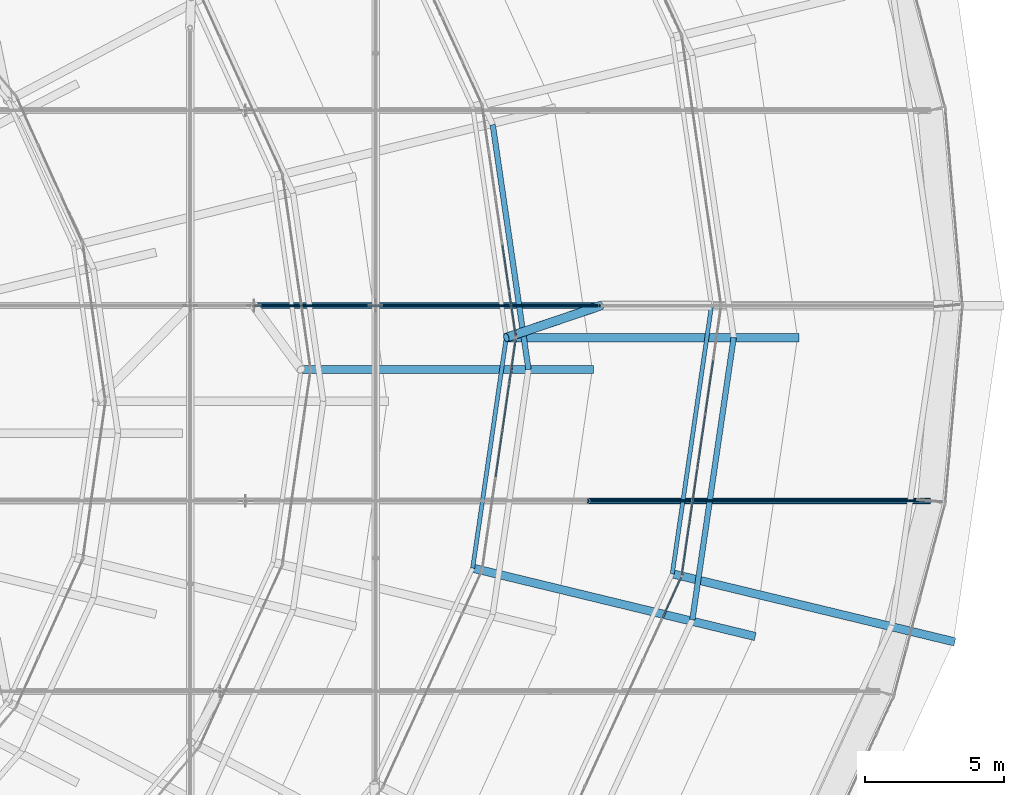
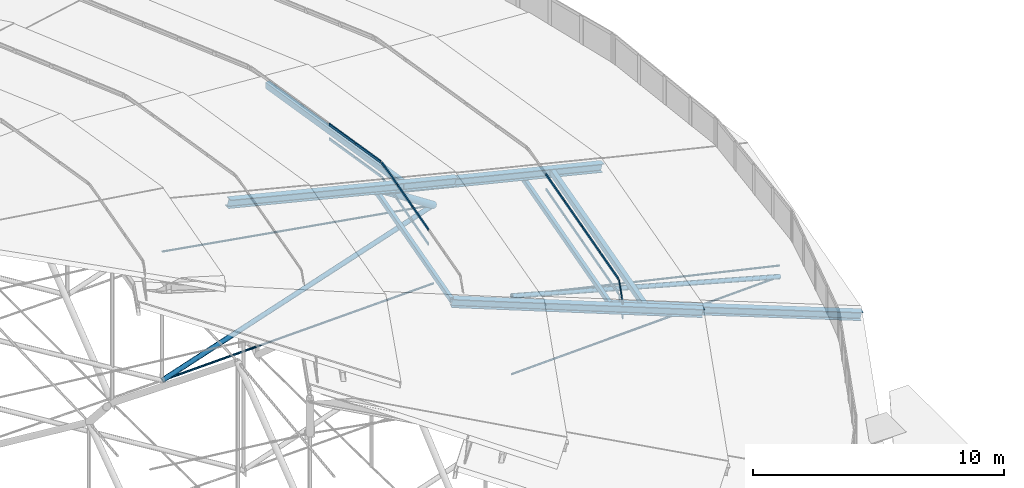
# One storey, part 90 of 173: 35 members, 4 elements without a shape of their own.
"""IFC4 building model written with IfcOpenShell, lengths in metres."""

from ifc_helpers import new_model, si_unit, direction, frame, origin, origin_2d, place, context, subcontext, project, spatial, rectangle, hollow_rectangle, circle, hollow_circle, i_section, extrude, material, material_profile, profile_set, type_object, element, aggregate, save


model = new_model("IFC4")

# Units and contexts
model_context = context("Model", 3, precision=1e-05, world=origin(), true_north=direction((0.0, 1.0)))
body_context = subcontext(model_context, "Body", "Model", "MODEL_VIEW")
ifc_project = project(units=[si_unit("LENGTHUNIT", "METRE"), si_unit("AREAUNIT", "SQUARE_METRE"), si_unit("VOLUMEUNIT", "CUBIC_METRE"), si_unit("PLANEANGLEUNIT", "RADIAN"), si_unit("MASSUNIT", "GRAM", prefix="KILO")], contexts=[model_context])

# Site, building, storey
site_placement = place(None, origin())
site = spatial("IfcSite", under=ifc_project, at=site_placement, CompositionType="ELEMENT")
building_placement = place(site_placement, origin())
building = spatial("IfcBuilding", under=site, at=building_placement, Name="Glasvene Arena", CompositionType="ELEMENT")
storey_placement = place(building_placement, frame((0.0, 0.0, 28.800048828125)))
storey = spatial("IfcBuildingStorey", under=building, at=storey_placement, Name="RF", CompositionType="ELEMENT", Elevation=28.800048828125)

# Curtain wall, members
ifc_material_1 = material(Name="Low-emissivity laminated double glazing", Category="glass")
curtain_wall_type_1 = type_object("IfcCurtainWallType", Name="CW-PET1-1001x75", PredefinedType="USERDEFINED", material=ifc_material_1)
curtain_wall_1_placement = place(storey_placement, frame((128.2431640625, 54.14990234375, 0.0)))
curtain_wall_1 = element("IfcCurtainWall", 1, at=curtain_wall_1_placement, inside=storey, type_object=curtain_wall_type_1, Name="Petal ring 1-2 clerestory curtain wall 23", ObjectType="CURTAIN WALL", PredefinedType="USERDEFINED")
ifc_material_2 = material(Name="Anodised architectural aluminium", Category="aluminium")
ifc_material_profile_1 = material_profile(ifc_material_2, rectangle(XDim=0.050048828125, YDim=0.1201171875, at=origin_2d()), Name="ALU TRANSOM 50x120")
ifc_profile_set_1 = profile_set([ifc_material_profile_1], Name="Anodised architectural aluminium")
member_type_1 = type_object("IfcMemberType", Name="CW-TRN-120", PredefinedType="USERDEFINED", material=ifc_profile_set_1)
member_1_placement = place(storey_placement, frame((131.737548828125, 61.749755859375, 2.60498046875), z_axis=(0.417794288464, 0.908541651509, 0.0), x_axis=(-0.908541651509, 0.417794288464, 0.0)))
member_1 = element("IfcMember", 2, at=member_1_placement, type_object=member_type_1, Name="CW-082 transom 6.1", ObjectType="TRANSOM", PredefinedType="USERDEFINED", context=body_context, shape_type="SweptSolid", body=[
    extrude(rectangle(XDim=0.050048828125, YDim=0.1201171875, at=origin_2d()), origin(), (0.0, 0.0, 1.0), 1.593017578125),
])
member_2_placement = place(storey_placement, frame((131.737548828125, 61.749755859375, 3.304931640625), z_axis=(0.417794288464, 0.908541651509, 0.0), x_axis=(-0.908541651509, 0.417794288464, 0.0)))
member_2 = element("IfcMember", 3, at=member_2_placement, type_object=member_type_1, Name="CW-082 transom 6.2", ObjectType="TRANSOM", PredefinedType="USERDEFINED", context=body_context, shape_type="SweptSolid", body=[
    extrude(rectangle(XDim=0.050048828125, YDim=0.1201171875, at=origin_2d()), origin(), (0.0, 0.0, 1.0), 1.593017578125),
])
aggregate(curtain_wall_1, [member_1, member_2])

curtain_wall_type_2 = type_object("IfcCurtainWallType", Name="CW-PET1-986x75", PredefinedType="USERDEFINED", material=ifc_material_1)
curtain_wall_2_placement = place(storey_placement, frame((132.424072265625, 63.242431640625, 0.0)))
curtain_wall_2 = element("IfcCurtainWall", 4, at=curtain_wall_2_placement, inside=storey, type_object=curtain_wall_type_2, Name="Petal ring 1-2 clerestory curtain wall 24", ObjectType="CURTAIN WALL", PredefinedType="USERDEFINED")
member_3_placement = place(storey_placement, frame((132.43115234375, 63.2919921875, 2.60498046875), z_axis=(0.144645532011, 0.989483537038, 0.0), x_axis=(-0.989483537038, 0.144645532011, 0.0)))
member_3 = element("IfcMember", 5, at=member_3_placement, type_object=member_type_1, Name="CW-081 transom 1.1", ObjectType="TRANSOM", PredefinedType="USERDEFINED", context=body_context, shape_type="SweptSolid", body=[
    extrude(rectangle(XDim=0.050048828125, YDim=0.1201171875, at=origin_2d()), origin(), (0.0, 0.0, 1.0), 1.897216796875),
])
member_4_placement = place(storey_placement, frame((132.43115234375, 63.2919921875, 3.304931640625), z_axis=(0.144645532011, 0.989483537038, 0.0), x_axis=(-0.989483537038, 0.144645532011, 0.0)))
member_4 = element("IfcMember", 6, at=member_4_placement, type_object=member_type_1, Name="CW-081 transom 1.2", ObjectType="TRANSOM", PredefinedType="USERDEFINED", context=body_context, shape_type="SweptSolid", body=[
    extrude(rectangle(XDim=0.050048828125, YDim=0.1201171875, at=origin_2d()), origin(), (0.0, 0.0, 1.0), 1.897216796875),
])
member_5_placement = place(storey_placement, frame((132.712890625, 65.21875, 2.60498046875), z_axis=(0.144532293107, 0.989500084007, 0.0), x_axis=(-0.989500084007, 0.144532293107, 0.0)))
member_5 = element("IfcMember", 7, at=member_5_placement, type_object=member_type_1, Name="CW-081 transom 2.1", ObjectType="TRANSOM", PredefinedType="USERDEFINED", context=body_context, shape_type="SweptSolid", body=[
    extrude(rectangle(XDim=0.050048828125, YDim=0.1201171875, at=origin_2d()), origin(), (0.0, 0.0, 1.0), 1.92236328125),
])
member_6_placement = place(storey_placement, frame((132.712890625, 65.21875, 3.304931640625), z_axis=(0.144532293107, 0.989500084007, 0.0), x_axis=(-0.989500084007, 0.144532293107, 0.0)))
member_6 = element("IfcMember", 8, at=member_6_placement, type_object=member_type_1, Name="CW-081 transom 2.2", ObjectType="TRANSOM", PredefinedType="USERDEFINED", context=body_context, shape_type="SweptSolid", body=[
    extrude(rectangle(XDim=0.050048828125, YDim=0.1201171875, at=origin_2d()), origin(), (0.0, 0.0, 1.0), 1.92236328125),
])
member_7_placement = place(storey_placement, frame((132.998046875, 67.170166015625, 2.60498046875), z_axis=(0.144532293107, 0.989500084007, 0.0), x_axis=(-0.989500084007, 0.144532293107, 0.0)))
member_7 = element("IfcMember", 9, at=member_7_placement, type_object=member_type_1, Name="CW-081 transom 3.1", ObjectType="TRANSOM", PredefinedType="USERDEFINED", context=body_context, shape_type="SweptSolid", body=[
    extrude(rectangle(XDim=0.050048828125, YDim=0.1201171875, at=origin_2d()), origin(), (0.0, 0.0, 1.0), 1.92236328125),
])
member_8_placement = place(storey_placement, frame((132.998046875, 67.170166015625, 3.304931640625), z_axis=(0.144532293107, 0.989500084007, 0.0), x_axis=(-0.989500084007, 0.144532293107, 0.0)))
member_8 = element("IfcMember", 10, at=member_8_placement, type_object=member_type_1, Name="CW-081 transom 3.2", ObjectType="TRANSOM", PredefinedType="USERDEFINED", context=body_context, shape_type="SweptSolid", body=[
    extrude(rectangle(XDim=0.050048828125, YDim=0.1201171875, at=origin_2d()), origin(), (0.0, 0.0, 1.0), 1.92236328125),
])
member_9_placement = place(storey_placement, frame((133.283203125, 69.121826171875, 2.60498046875), z_axis=(0.144674822999, 0.989479254755, 0.0), x_axis=(-0.989479254755, 0.144674822999, 0.0)))
member_9 = element("IfcMember", 11, at=member_9_placement, type_object=member_type_1, Name="CW-081 transom 4.1", ObjectType="TRANSOM", PredefinedType="USERDEFINED", context=body_context, shape_type="SweptSolid", body=[
    extrude(rectangle(XDim=0.050048828125, YDim=0.1201171875, at=origin_2d()), origin(), (0.0, 0.0, 1.0), 1.922119140625),
])
member_10_placement = place(storey_placement, frame((133.283203125, 69.121826171875, 3.304931640625), z_axis=(0.144674822999, 0.989479254755, 0.0), x_axis=(-0.989479254755, 0.144674822999, 0.0)))
member_10 = element("IfcMember", 12, at=member_10_placement, type_object=member_type_1, Name="CW-081 transom 4.2", ObjectType="TRANSOM", PredefinedType="USERDEFINED", context=body_context, shape_type="SweptSolid", body=[
    extrude(rectangle(XDim=0.050048828125, YDim=0.1201171875, at=origin_2d()), origin(), (0.0, 0.0, 1.0), 1.922119140625),
])
aggregate(curtain_wall_2, [member_3, member_4, member_5, member_6, member_7, member_8, member_9, member_10])

curtain_wall_type_3 = type_object("IfcCurtainWallType", Name="CW-PET2-849x75", PredefinedType="USERDEFINED", material=ifc_material_1)
curtain_wall_3_placement = place(storey_placement, frame((126.449951171875, 71.85009765625, 0.0)))
curtain_wall_3 = element("IfcCurtainWall", 13, at=curtain_wall_3_placement, inside=storey, type_object=curtain_wall_type_3, Name="Petal ring 2-3 clerestory curtain wall 01", ObjectType="CURTAIN WALL", PredefinedType="USERDEFINED")
member_11_placement = place(storey_placement, frame((126.44287109375, 71.8994140625, 5.204833984375), z_axis=(-0.144159545441, 0.989554458056, 0.0), x_axis=(-0.989554458056, -0.144159545441, 0.0)))
member_11 = element("IfcMember", 14, at=member_11_placement, type_object=member_type_1, Name="CW-087 transom 1.1", ObjectType="TRANSOM", PredefinedType="USERDEFINED", context=body_context, shape_type="SweptSolid", body=[
    extrude(rectangle(XDim=0.050048828125, YDim=0.1201171875, at=origin_2d()), origin(), (0.0, 0.0, 1.0), 1.622314453125),
])
member_12_placement = place(storey_placement, frame((126.44287109375, 71.8994140625, 5.905029296875), z_axis=(-0.144159545441, 0.989554458056, 0.0), x_axis=(-0.989554458056, -0.144159545441, 0.0)))
member_12 = element("IfcMember", 15, at=member_12_placement, type_object=member_type_1, Name="CW-087 transom 1.2", ObjectType="TRANSOM", PredefinedType="USERDEFINED", context=body_context, shape_type="SweptSolid", body=[
    extrude(rectangle(XDim=0.050048828125, YDim=0.1201171875, at=origin_2d()), origin(), (0.0, 0.0, 1.0), 1.622314453125),
])
member_13_placement = place(storey_placement, frame((126.20166015625, 73.554443359375, 5.204833984375), z_axis=(-0.144034828632, 0.989572618933, 0.0), x_axis=(-0.989572618933, -0.144034828632, 0.0)))
member_13 = element("IfcMember", 16, at=member_13_placement, type_object=member_type_1, Name="CW-087 transom 2.1", ObjectType="TRANSOM", PredefinedType="USERDEFINED", context=body_context, shape_type="SweptSolid", body=[
    extrude(rectangle(XDim=0.050048828125, YDim=0.1201171875, at=origin_2d()), origin(), (0.0, 0.0, 1.0), 1.6474609375),
])
member_14_placement = place(storey_placement, frame((126.20166015625, 73.554443359375, 5.905029296875), z_axis=(-0.144034828632, 0.989572618933, 0.0), x_axis=(-0.989572618933, -0.144034828632, 0.0)))
member_14 = element("IfcMember", 17, at=member_14_placement, type_object=member_type_1, Name="CW-087 transom 2.2", ObjectType="TRANSOM", PredefinedType="USERDEFINED", context=body_context, shape_type="SweptSolid", body=[
    extrude(rectangle(XDim=0.050048828125, YDim=0.1201171875, at=origin_2d()), origin(), (0.0, 0.0, 1.0), 1.6474609375),
])
aggregate(curtain_wall_3, [member_11, member_12, member_13, member_14])

curtain_wall_4_placement = place(storey_placement, frame((125.226806640625, 63.451416015625, 0.0)))
curtain_wall_4 = element("IfcCurtainWall", 18, at=curtain_wall_4_placement, inside=storey, type_object=curtain_wall_type_3, Name="Petal ring 2-3 clerestory curtain wall 24", ObjectType="CURTAIN WALL", PredefinedType="USERDEFINED")
member_15_placement = place(storey_placement, frame((125.7197265625, 66.83544921875, 5.204833984375), z_axis=(0.144034828632, 0.989572618933, 0.0), x_axis=(-0.989572618933, 0.144034828632, 0.0)))
member_15 = element("IfcMember", 19, at=member_15_placement, type_object=member_type_1, Name="CW-087 transom 3.1", ObjectType="TRANSOM", PredefinedType="USERDEFINED", context=body_context, shape_type="SweptSolid", body=[
    extrude(rectangle(XDim=0.050048828125, YDim=0.1201171875, at=origin_2d()), origin(), (0.0, 0.0, 1.0), 1.6474609375),
])
member_16_placement = place(storey_placement, frame((125.7197265625, 66.83544921875, 5.905029296875), z_axis=(0.144034828632, 0.989572618933, 0.0), x_axis=(-0.989572618933, 0.144034828632, 0.0)))
member_16 = element("IfcMember", 20, at=member_16_placement, type_object=member_type_1, Name="CW-087 transom 3.2", ObjectType="TRANSOM", PredefinedType="USERDEFINED", context=body_context, shape_type="SweptSolid", body=[
    extrude(rectangle(XDim=0.050048828125, YDim=0.1201171875, at=origin_2d()), origin(), (0.0, 0.0, 1.0), 1.6474609375),
])
member_17_placement = place(storey_placement, frame((125.96435546875, 68.515380859375, 5.204833984375), z_axis=(0.144055952792, 0.989569544027, 0.0), x_axis=(-0.989569544027, 0.144055952792, 0.0)))
member_17 = element("IfcMember", 21, at=member_17_placement, type_object=member_type_1, Name="CW-087 transom 4.1", ObjectType="TRANSOM", PredefinedType="USERDEFINED", context=body_context, shape_type="SweptSolid", body=[
    extrude(rectangle(XDim=0.050048828125, YDim=0.1201171875, at=origin_2d()), origin(), (0.0, 0.0, 1.0), 1.647216796875),
])
member_18_placement = place(storey_placement, frame((125.96435546875, 68.515380859375, 5.905029296875), z_axis=(0.144055952792, 0.989569544027, 0.0), x_axis=(-0.989569544027, 0.144055952792, 0.0)))
member_18 = element("IfcMember", 22, at=member_18_placement, type_object=member_type_1, Name="CW-087 transom 4.2", ObjectType="TRANSOM", PredefinedType="USERDEFINED", context=body_context, shape_type="SweptSolid", body=[
    extrude(rectangle(XDim=0.050048828125, YDim=0.1201171875, at=origin_2d()), origin(), (0.0, 0.0, 1.0), 1.647216796875),
])
member_19_placement = place(storey_placement, frame((126.208984375, 70.195068359375, 5.204833984375), z_axis=(0.144159545441, 0.989554458056, 0.0), x_axis=(-0.989554458056, 0.144159545441, 0.0)))
member_19 = element("IfcMember", 23, at=member_19_placement, type_object=member_type_1, Name="CW-087 transom 5.1", ObjectType="TRANSOM", PredefinedType="USERDEFINED", context=body_context, shape_type="SweptSolid", body=[
    extrude(rectangle(XDim=0.050048828125, YDim=0.1201171875, at=origin_2d()), origin(), (0.0, 0.0, 1.0), 1.622314453125),
])
member_20_placement = place(storey_placement, frame((126.208984375, 70.195068359375, 5.905029296875), z_axis=(0.144159545441, 0.989554458056, 0.0), x_axis=(-0.989554458056, 0.144159545441, 0.0)))
member_20 = element("IfcMember", 24, at=member_20_placement, type_object=member_type_1, Name="CW-087 transom 5.2", ObjectType="TRANSOM", PredefinedType="USERDEFINED", context=body_context, shape_type="SweptSolid", body=[
    extrude(rectangle(XDim=0.050048828125, YDim=0.1201171875, at=origin_2d()), origin(), (0.0, 0.0, 1.0), 1.622314453125),
])
aggregate(curtain_wall_4, [member_15, member_16, member_17, member_18, member_19, member_20])

# Members
ifc_material_3 = material(Name="High-strength steel spiral strand S460", Category="steel")
ifc_material_profile_2 = material_profile(ifc_material_3, circle(Radius=0.03759765625, at=origin_2d()), Name="LCSS D75")
ifc_profile_set_2 = profile_set([ifc_material_profile_2], Name="High-strength steel spiral strand S460")
member_type_2 = type_object("IfcMemberType", Name="MB-CABLE-75", PredefinedType="USERDEFINED", material=ifc_profile_set_2)
member_21_placement = place(storey_placement, frame((129.038330078125, 65.96044921875, -1.753173828125), z_axis=(0.999385261069, 0.0, 0.035058521913), x_axis=(0.0, 1.0, 0.0)))
element("IfcMember", 25, at=member_21_placement, inside=storey, type_object=member_type_2, Name="Lower stabilization roof cable EW03-08", ObjectType="ROOF CABLE", PredefinedType="USERDEFINED", context=body_context, shape_type="SweptSolid", body=[
    extrude(circle(Radius=0.03759765625, at=origin_2d()), origin(), (0.0, 0.0, 1.0), 12.353759765625),
])
member_22_placement = place(storey_placement, frame((117.0, 73.0, -2.112548828125), z_axis=(0.999586974776, 0.0, 0.028738125525), x_axis=(0.0, 1.0, 0.0)))
element("IfcMember", 26, at=member_22_placement, inside=storey, type_object=member_type_2, Name="Lower stabilization roof cable EW04-07", ObjectType="ROOF CABLE", PredefinedType="USERDEFINED", context=body_context, shape_type="SweptSolid", body=[
    extrude(circle(Radius=0.03759765625, at=origin_2d()), origin(), (0.0, 0.0, 1.0), 12.505126953125),
])
ifc_material_profile_3 = material_profile(ifc_material_3, circle(Radius=0.044921875, at=origin_2d()), Name="LCSS D90")
ifc_profile_set_3 = profile_set([ifc_material_profile_3], Name="High-strength steel spiral strand S460")
member_type_3 = type_object("IfcMemberType", Name="MB-CABLE-90", PredefinedType="USERDEFINED", material=ifc_profile_set_3)
member_23_placement = place(storey_placement, frame((129.038330078125, 65.96044921875, 2.06103515625), z_axis=(0.974530343861, 0.0, -0.224255677507), x_axis=(0.0, 1.0, 0.0)))
element("IfcMember", 27, at=member_23_placement, inside=storey, type_object=member_type_3, Name="Upper lens roof cable EW03-08", ObjectType="ROOF CABLE", PredefinedType="USERDEFINED", context=body_context, shape_type="SweptSolid", body=[
    extrude(circle(Radius=0.044921875, at=origin_2d()), origin(), (0.0, 0.0, 1.0), 12.6689453125),
])
member_24_placement = place(storey_placement, frame((117.0, 73.0, 4.1669921875), z_axis=(0.986102977412, 0.0, -0.166135239905), x_axis=(0.0, 1.0, 0.0)))
element("IfcMember", 28, at=member_24_placement, inside=storey, type_object=member_type_3, Name="Upper lens roof cable EW04-07", ObjectType="ROOF CABLE", PredefinedType="USERDEFINED", context=body_context, shape_type="SweptSolid", body=[
    extrude(circle(Radius=0.044921875, at=origin_2d()), origin(), (0.0, 0.0, 1.0), 12.67626953125),
])
ifc_material_4 = material(Name="Steel S355J2", Category="steel")
ifc_material_profile_4 = material_profile(ifc_material_4, i_section(OverallWidth=0.300048828125, OverallDepth=0.39990234375, WebThickness=0.013427734375, FlangeThickness=0.02392578125, FilletRadius=0.027099609375, at=origin_2d()), Name="HEB 400")
ifc_profile_set_4 = profile_set([ifc_material_profile_4], Name="Steel S355J2")
member_type_4 = type_object("IfcMemberType", Name="MB-CHORD-HEB400", PredefinedType="CHORD", material=ifc_profile_set_4)
member_25_placement = place(storey_placement, frame((142.22802734375, 60.88720703125, -0.400146484375), z_axis=(-0.945368761704, 0.227979015328, 0.233031055795), x_axis=(-0.234433124854, -0.972132249219, 0.0)))
element("IfcMember", 29, at=member_25_placement, inside=storey, type_object=member_type_4, Name="Petal ring 1 radial rib 24", PredefinedType="CHORD", context=body_context, shape_type="SweptSolid", body=[
    extrude(i_section(OverallWidth=0.300048828125, OverallDepth=0.39990234375, WebThickness=0.013427734375, FlangeThickness=0.02392578125, FilletRadius=0.027099609375, at=origin_2d()), origin(), (0.0, 0.0, 1.0), 10.728271484375),
])
member_26_placement = place(storey_placement, frame((136.60009765625, 71.85009765625, 2.14990234375), z_axis=(-0.971752667601, 0.0, 0.236001595356), x_axis=(0.0, -1.0, 0.0)))
element("IfcMember", 30, at=member_26_placement, inside=storey, type_object=member_type_4, Name="Petal ring 2 radial rib 01", PredefinedType="CHORD", context=body_context, shape_type="SweptSolid", body=[
    extrude(i_section(OverallWidth=0.300048828125, OverallDepth=0.39990234375, WebThickness=0.013427734375, FlangeThickness=0.02392578125, FilletRadius=0.027099609375, at=origin_2d()), origin(), (0.0, 0.0, 1.0), 10.80517578125),
])
member_27_placement = place(storey_placement, frame((135.031005859375, 61.0830078125, 2.14990234375), z_axis=(-0.944148847242, 0.228542974938, 0.23738378811), x_axis=(-0.235267885238, -0.971930564483, 0.0)))
element("IfcMember", 31, at=member_27_placement, inside=storey, type_object=member_type_4, Name="Petal ring 2 radial rib 24", PredefinedType="CHORD", context=body_context, shape_type="SweptSolid", body=[
    extrude(i_section(OverallWidth=0.300048828125, OverallDepth=0.39990234375, WebThickness=0.013427734375, FlangeThickness=0.02392578125, FilletRadius=0.027099609375, at=origin_2d()), origin(), (0.0, 0.0, 1.0), 10.7421875),
])
member_28_placement = place(storey_placement, frame((129.199951171875, 70.699951171875, 4.75), z_axis=(-0.970687021499, 0.0, 0.240347053849), x_axis=(0.0, -1.0, 0.0)))
element("IfcMember", 32, at=member_28_placement, inside=storey, type_object=member_type_4, Name="Petal ring 3 radial rib 01", PredefinedType="CHORD", context=body_context, shape_type="SweptSolid", body=[
    extrude(i_section(OverallWidth=0.300048828125, OverallDepth=0.39990234375, WebThickness=0.013427734375, FlangeThickness=0.02392578125, FilletRadius=0.027099609375, at=origin_2d()), origin(), (0.0, 0.0, 1.0), 10.817138671875),
])
ifc_material_profile_5 = material_profile(ifc_material_4, hollow_circle(Radius=0.161865234375, WallThickness=0.01611328125, at=origin_2d()), Name="CHS 323.9x16.0")
ifc_profile_set_5 = profile_set([ifc_material_profile_5], Name="Steel S355J2")
member_type_5 = type_object("IfcMemberType", Name="MB-POST-CHS324", PredefinedType="BRACE", material=ifc_profile_set_5)
member_29_placement = place(storey_placement, frame((129.5, 73.0, 2.06103515625), z_axis=(-0.754878691855, -0.255312267603, 0.604130620474), x_axis=(0.320387721019, -0.947286497434, 0.0)))
element("IfcMember", 33, at=member_29_placement, inside=storey, type_object=member_type_5, Name="Petal ring 2 ridge support post 01", PredefinedType="BRACE", context=body_context, shape_type="SweptSolid", body=[
    extrude(hollow_circle(Radius=0.161865234375, WallThickness=0.01611328125, at=origin_2d()), origin(), (0.0, 0.0, 1.0), 4.50390625),
])
ifc_material_profile_6 = material_profile(ifc_material_4, hollow_rectangle(XDim=0.14990234375, YDim=0.25, WallThickness=0.010009765625, at=origin_2d()), Name="RHS 250x150x10.0")
ifc_profile_set_6 = profile_set([ifc_material_profile_6], Name="Steel S355J2")
member_type_6 = type_object("IfcMemberType", Name="MB-PURLIN-RHS250", PredefinedType="PURLIN", material=ifc_profile_set_6)
member_30_placement = place(storey_placement, frame((132.0859375, 63.3330078125, 2.181884765625), z_axis=(0.14473712176, 0.989470143857, 0.0), x_axis=(-0.989470143857, 0.14473712176, 0.0)))
element("IfcMember", 34, at=member_30_placement, inside=storey, type_object=member_type_6, Name="Petal ring 1 ridge purlin 24", PredefinedType="PURLIN", context=body_context, shape_type="SweptSolid", body=[
    extrude(hollow_rectangle(XDim=0.14990234375, YDim=0.25, WallThickness=0.010009765625, at=origin_2d()), origin(), (0.0, 0.0, 1.0), 9.769775390625),
])
member_31_placement = place(storey_placement, frame((124.888671875, 63.5380859375, 4.781982421875), z_axis=(0.144220327609, 0.989545601326, 0.0), x_axis=(-0.989545601326, 0.144220327609, 0.0)))
element("IfcMember", 35, at=member_31_placement, inside=storey, type_object=member_type_6, Name="Petal ring 2 ridge purlin 24", PredefinedType="PURLIN", context=body_context, shape_type="SweptSolid", body=[
    extrude(hollow_rectangle(XDim=0.14990234375, YDim=0.25, WallThickness=0.010009765625, at=origin_2d()), origin(), (0.0, 0.0, 1.0), 8.39990234375),
])
ifc_material_profile_7 = material_profile(ifc_material_4, hollow_rectangle(XDim=0.199951171875, YDim=0.300048828125, WallThickness=0.012451171875, at=origin_2d()), Name="RHS 300x200x12.5")
ifc_profile_set_7 = profile_set([ifc_material_profile_7], Name="Steel S355J2")
member_type_7 = type_object("IfcMemberType", Name="MB-PURLIN-RHS300", PredefinedType="PURLIN", material=ifc_profile_set_7)
member_32_placement = place(storey_placement, frame((132.809326171875, 61.678466796875, 2.728515625), z_axis=(0.145007864252, 0.989430502514, 0.0), x_axis=(-0.989430502514, 0.145007864252, 0.0)))
element("IfcMember", 36, at=member_32_placement, inside=storey, type_object=member_type_7, Name="Petal ring 2 outer purlin 24", PredefinedType="PURLIN", context=body_context, shape_type="SweptSolid", body=[
    extrude(hollow_rectangle(XDim=0.199951171875, YDim=0.300048828125, WallThickness=0.012451171875, at=origin_2d()), origin(), (0.0, 0.0, 1.0), 10.2802734375),
])
member_33_placement = place(storey_placement, frame((126.89990234375, 70.699951171875, 5.33935546875), z_axis=(-0.144390650725, 0.989520762785, 0.0), x_axis=(-0.989520762785, -0.144390650725, 0.0)))
element("IfcMember", 37, at=member_33_placement, inside=storey, type_object=member_type_7, Name="Petal ring 3 outer purlin 01", PredefinedType="PURLIN", context=body_context, shape_type="SweptSolid", body=[
    extrude(hollow_rectangle(XDim=0.199951171875, YDim=0.300048828125, WallThickness=0.012451171875, at=origin_2d()), origin(), (0.0, 0.0, 1.0), 8.919189453125),
])
ifc_material_profile_8 = material_profile(ifc_material_4, hollow_circle(Radius=0.109619140625, WallThickness=0.010009765625, at=origin_2d()), Name="CHS 219.1x10.0")
ifc_profile_set_8 = profile_set([ifc_material_profile_8], Name="Steel S355J2")
member_type_8 = type_object("IfcMemberType", Name="MB-WEB-CHS219", PredefinedType="BRACE", material=ifc_profile_set_8)
member_34_placement = place(storey_placement, frame((129.038330078125, 65.96044921875, 2.06103515625), z_axis=(0.964486445383, 0.0, -0.264132346888), x_axis=(0.0, 1.0, 0.0)))
element("IfcMember", 38, at=member_34_placement, inside=storey, type_object=member_type_8, Name="Cable-truss diagonal web strut EW03-08", PredefinedType="BRACE", context=body_context, shape_type="SweptSolid", body=[
    extrude(hollow_circle(Radius=0.109619140625, WallThickness=0.010009765625, at=origin_2d()), origin(), (0.0, 0.0, 1.0), 12.80078125),
])
member_35_placement = place(storey_placement, frame((117.0, 73.0, -2.112548828125), z_axis=(0.94852571034, 0.0, 0.316700137075), x_axis=(0.0, 1.0, 0.0)))
element("IfcMember", 39, at=member_35_placement, inside=storey, type_object=member_type_8, Name="Cable-truss diagonal web strut EW04-07", PredefinedType="BRACE", context=body_context, shape_type="SweptSolid", body=[
    extrude(hollow_circle(Radius=0.109619140625, WallThickness=0.010009765625, at=origin_2d()), origin(), (0.0, 0.0, 1.0), 13.178466796875),
])

save(model, "model.ifc")
